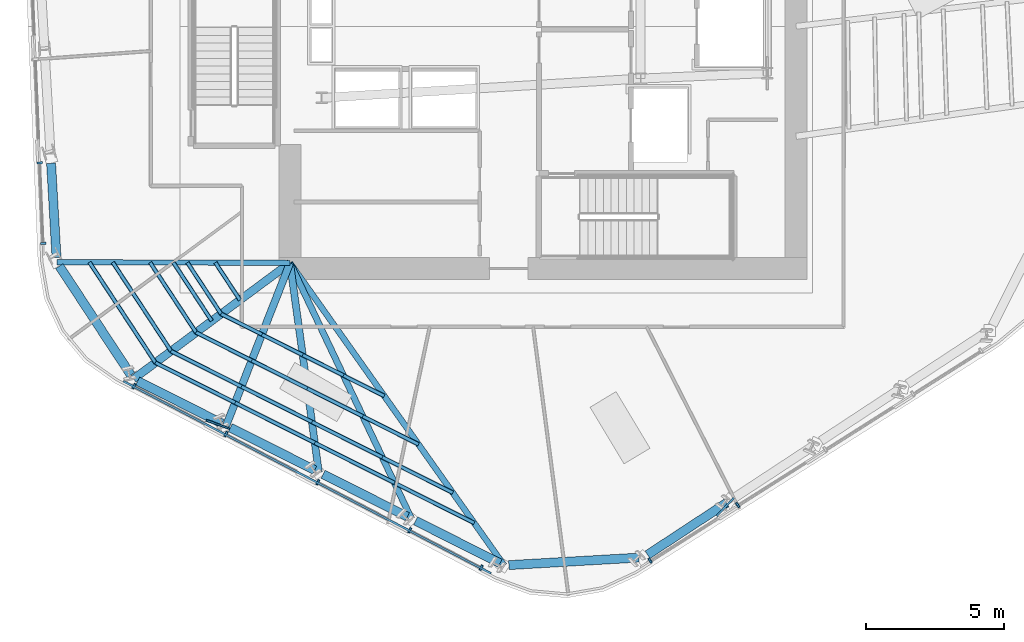
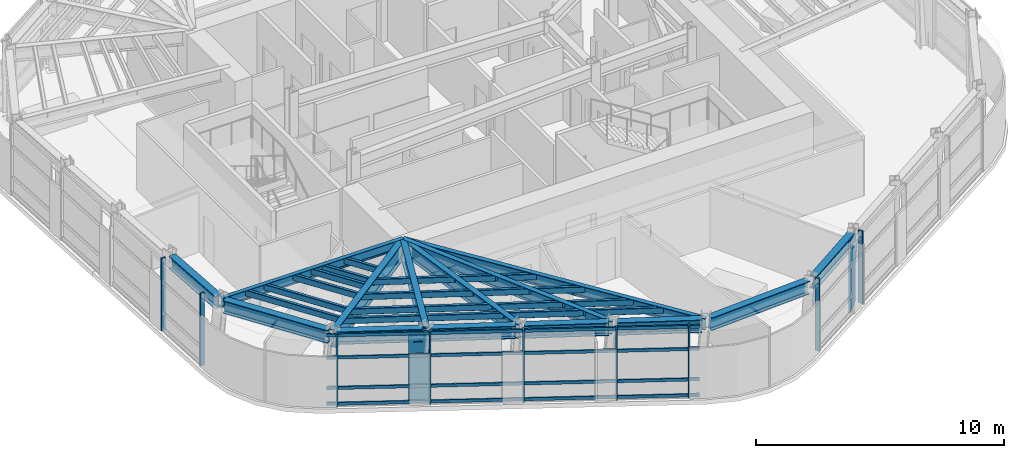
# One storey, part 2 of 15: 37 members, 14 beams, 3 elements without a shape of their own.
"""IFC4 building model written with IfcOpenShell, lengths in metres."""

from ifc_helpers import new_model, si_unit, direction, frame, origin, origin_2d, place, context, subcontext, project, spatial, rectangle, hollow_rectangle, i_section, extrude, material, layer, layer_set, material_profile, profile_set, type_object, element, aggregate, save


model = new_model("IFC4")

# Units and contexts
model_context = context("Model", 3, precision=1e-05, world=origin(), true_north=direction((0.0, 1.0)))
body_context = subcontext(model_context, "Body", "Model", "MODEL_VIEW")
ifc_project = project(units=[si_unit("LENGTHUNIT", "METRE"), si_unit("AREAUNIT", "SQUARE_METRE"), si_unit("VOLUMEUNIT", "CUBIC_METRE"), si_unit("PLANEANGLEUNIT", "RADIAN"), si_unit("MASSUNIT", "GRAM", prefix="KILO")], contexts=[model_context])

# Site, building, storey
site_placement = place(None, origin())
site = spatial("IfcSite", under=ifc_project, at=site_placement, CompositionType="ELEMENT")
building_placement = place(site_placement, origin())
building = spatial("IfcBuilding", under=site, at=building_placement, Name="Valkerne Bourse Tower", CompositionType="ELEMENT")
storey_placement = place(building_placement, frame((0.0, 0.0, 162.800048828125)))
storey = spatial("IfcBuildingStorey", under=building, at=storey_placement, Name="L41", CompositionType="ELEMENT", Elevation=162.800048828125)

# Beams
ifc_material_1 = material(Name="Steel ASTM A992", Category="steel")
ifc_material_profile_1 = material_profile(ifc_material_1, i_section(OverallWidth=0.1904296875, OverallDepth=0.457275390625, WebThickness=0.009033203125, FlangeThickness=0.014404296875, FilletRadius=0.01513671875, at=origin_2d()), Name="W18X50")
ifc_profile_set_1 = profile_set([ifc_material_profile_1], Name="Steel ASTM A992")
beam_type_1 = type_object("IfcBeamType", Name="BM-W18X50", PredefinedType="JOIST", material=ifc_profile_set_1)
beam_1_placement = place(storey_placement, frame((29.12109375, 18.426025390625, 3.351318359375), z_axis=(0.999995254031, -0.003080895254, 0.0), x_axis=(0.003080895254, 0.999995254031, 0.0)))
element("IfcBeam", 1, at=beam_1_placement, inside=storey, type_object=beam_type_1, Name="L41 Radial Composite Floor Beam 14", PredefinedType="JOIST", context=body_context, shape_type="SweptSolid", body=[
    extrude(i_section(OverallWidth=0.1904296875, OverallDepth=0.457275390625, WebThickness=0.009033203125, FlangeThickness=0.014404296875, FilletRadius=0.01513671875, at=origin_2d()), origin(), (0.0, 0.0, 1.0), 8.47900390625),
])
ifc_material_profile_2 = material_profile(ifc_material_1, i_section(OverallWidth=0.2138671875, OverallDepth=0.548583984375, WebThickness=0.0146484375, FlangeThickness=0.023681640625, FilletRadius=0.017822265625, at=origin_2d()), Name="W21X93")
ifc_profile_set_2 = profile_set([ifc_material_profile_2], Name="Steel ASTM A992")
beam_type_2 = type_object("IfcBeamType", Name="BM-W21X93", PredefinedType="BEAM", material=ifc_profile_set_2)
beam_2_placement = place(storey_placement, frame((45.3857421875, 7.402587890625, 3.3056640625), z_axis=(-0.57781372011, 0.816168674266, 0.0), x_axis=(-0.816168674266, -0.57781372011, 0.0)))
element("IfcBeam", 2, at=beam_2_placement, inside=storey, type_object=beam_type_2, Name="L41 Radial Composite Floor Beam 19", PredefinedType="BEAM", context=body_context, shape_type="SweptSolid", body=[
    extrude(i_section(OverallWidth=0.2138671875, OverallDepth=0.548583984375, WebThickness=0.0146484375, FlangeThickness=0.023681640625, FilletRadius=0.017822265625, at=origin_2d()), origin(), (0.0, 0.0, 1.0), 13.474365234375),
])
ifc_material_profile_3 = material_profile(ifc_material_1, i_section(OverallWidth=0.32763671875, OverallDepth=0.62744140625, WebThickness=0.0166015625, FlangeThickness=0.027587890625, FilletRadius=0.020263671875, at=origin_2d()), Name="W24X146")
ifc_profile_set_3 = profile_set([ifc_material_profile_3], Name="Steel ASTM A992")
beam_type_3 = type_object("IfcBeamType", Name="BM-W24X146", PredefinedType="SPANDREL", material=ifc_profile_set_3)
beam_3_placement = place(storey_placement, frame((28.913818359375, 22.021240234375, 3.266357421875), z_axis=(0.05749152331, -0.998345994507, 0.0), x_axis=(0.998345994507, 0.05749152331, 0.0)))
element("IfcBeam", 3, at=beam_3_placement, inside=storey, type_object=beam_type_3, Name="L41 Hexagonal Spandrel Ring Beam 13", PredefinedType="SPANDREL", context=body_context, shape_type="SweptSolid", body=[
    extrude(i_section(OverallWidth=0.32763671875, OverallDepth=0.62744140625, WebThickness=0.0166015625, FlangeThickness=0.027587890625, FilletRadius=0.020263671875, at=origin_2d()), origin(), (0.0, 0.0, 1.0), 3.43115234375),
])
beam_4_placement = place(storey_placement, frame((29.21435546875, 18.283935546875, 3.266357421875), z_axis=(0.549053520412, -0.835787192845, 0.0), x_axis=(0.835787192845, 0.549053520412, 0.0)))
element("IfcBeam", 4, at=beam_4_placement, inside=storey, type_object=beam_type_3, Name="L41 Hexagonal Spandrel Ring Beam 14", PredefinedType="SPANDREL", context=body_context, shape_type="SweptSolid", body=[
    extrude(i_section(OverallWidth=0.32763671875, OverallDepth=0.62744140625, WebThickness=0.0166015625, FlangeThickness=0.027587890625, FilletRadius=0.020263671875, at=origin_2d()), origin(), (0.0, 0.0, 1.0), 4.739990234375),
])
beam_5_placement = place(storey_placement, frame((32.06201171875, 14.103759765625, 3.266357421875), z_axis=(0.89335731116, -0.449346986856, 0.0), x_axis=(0.449346986856, 0.89335731116, 0.0)))
element("IfcBeam", 5, at=beam_5_placement, inside=storey, type_object=beam_type_3, Name="L41 Hexagonal Spandrel Ring Beam 15", PredefinedType="SPANDREL", context=body_context, shape_type="SweptSolid", body=[
    extrude(i_section(OverallWidth=0.32763671875, OverallDepth=0.62744140625, WebThickness=0.0166015625, FlangeThickness=0.027587890625, FilletRadius=0.020263671875, at=origin_2d()), origin(), (0.0, 0.0, 1.0), 3.43115234375),
])
beam_6_placement = place(storey_placement, frame((35.430908203125, 12.4091796875, 3.266357421875), z_axis=(0.89341443513, -0.449233399361, 0.0), x_axis=(0.449233399361, 0.89341443513, 0.0)))
element("IfcBeam", 6, at=beam_6_placement, inside=storey, type_object=beam_type_3, Name="L41 Hexagonal Spandrel Ring Beam 16", PredefinedType="SPANDREL", context=body_context, shape_type="SweptSolid", body=[
    extrude(i_section(OverallWidth=0.32763671875, OverallDepth=0.62744140625, WebThickness=0.0166015625, FlangeThickness=0.027587890625, FilletRadius=0.020263671875, at=origin_2d()), origin(), (0.0, 0.0, 1.0), 3.430908203125),
])
beam_7_placement = place(storey_placement, frame((38.7998046875, 10.715087890625, 3.266357421875), z_axis=(0.89335731116, -0.449346986856, 0.0), x_axis=(0.449346986856, 0.89335731116, 0.0)))
element("IfcBeam", 7, at=beam_7_placement, inside=storey, type_object=beam_type_3, Name="L41 Hexagonal Spandrel Ring Beam 17", PredefinedType="SPANDREL", context=body_context, shape_type="SweptSolid", body=[
    extrude(i_section(OverallWidth=0.32763671875, OverallDepth=0.62744140625, WebThickness=0.0166015625, FlangeThickness=0.027587890625, FilletRadius=0.020263671875, at=origin_2d()), origin(), (0.0, 0.0, 1.0), 3.43115234375),
])
beam_8_placement = place(storey_placement, frame((42.168701171875, 9.0205078125, 3.266357421875), z_axis=(0.893385874037, -0.449290195832, 0.0), x_axis=(0.449290195832, 0.893385874037, 0.0)))
element("IfcBeam", 8, at=beam_8_placement, inside=storey, type_object=beam_type_3, Name="L41 Hexagonal Spandrel Ring Beam 18", PredefinedType="SPANDREL", context=body_context, shape_type="SweptSolid", body=[
    extrude(i_section(OverallWidth=0.32763671875, OverallDepth=0.62744140625, WebThickness=0.0166015625, FlangeThickness=0.027587890625, FilletRadius=0.020263671875, at=origin_2d()), origin(), (0.0, 0.0, 1.0), 3.430908203125),
])
beam_9_placement = place(storey_placement, frame((45.555419921875, 7.412353515625, 3.266357421875), z_axis=(0.998340682004, 0.057583701309, 0.0), x_axis=(-0.057583701309, 0.998340682004, 0.0)))
element("IfcBeam", 9, at=beam_9_placement, inside=storey, type_object=beam_type_3, Name="L41 Hexagonal Spandrel Ring Beam 19", PredefinedType="SPANDREL", context=body_context, shape_type="SweptSolid", body=[
    extrude(i_section(OverallWidth=0.32763671875, OverallDepth=0.62744140625, WebThickness=0.0166015625, FlangeThickness=0.027587890625, FilletRadius=0.020263671875, at=origin_2d()), origin(), (0.0, 0.0, 1.0), 4.739990234375),
])
beam_10_placement = place(storey_placement, frame((50.599609375, 7.788330078125, 3.266357421875), z_axis=(0.835775456487, 0.549071385462, 0.0), x_axis=(-0.549071385462, 0.835775456487, 0.0)))
element("IfcBeam", 10, at=beam_10_placement, inside=storey, type_object=beam_type_3, Name="L41 Hexagonal Spandrel Ring Beam 20", PredefinedType="SPANDREL", context=body_context, shape_type="SweptSolid", body=[
    extrude(i_section(OverallWidth=0.32763671875, OverallDepth=0.62744140625, WebThickness=0.0166015625, FlangeThickness=0.027587890625, FilletRadius=0.020263671875, at=origin_2d()), origin(), (0.0, 0.0, 1.0), 3.430908203125),
])
ifc_material_profile_4 = material_profile(ifc_material_1, i_section(OverallWidth=0.228271484375, OverallDepth=0.607177734375, WebThickness=0.01123046875, FlangeThickness=0.017333984375, FilletRadius=0.017822265625, at=origin_2d()), Name="W24X76")
ifc_profile_set_4 = profile_set([ifc_material_profile_4], Name="Steel ASTM A992")
beam_type_4 = type_object("IfcBeamType", Name="BM-W24X76", PredefinedType="JOIST", material=ifc_profile_set_4)
beam_11_placement = place(storey_placement, frame((42.016845703125, 9.096923828125, 3.2763671875), z_axis=(-0.428885138888, 0.903359030309, 0.0), x_axis=(-0.903359030309, -0.428885138888, 0.0)))
element("IfcBeam", 11, at=beam_11_placement, inside=storey, type_object=beam_type_4, Name="L41 Radial Composite Floor Beam 18", PredefinedType="JOIST", context=body_context, shape_type="SweptSolid", body=[
    extrude(i_section(OverallWidth=0.228271484375, OverallDepth=0.607177734375, WebThickness=0.01123046875, FlangeThickness=0.017333984375, FilletRadius=0.017822265625, at=origin_2d()), origin(), (0.0, 0.0, 1.0), 10.298095703125),
])
ifc_material_profile_5 = material_profile(ifc_material_1, i_section(OverallWidth=0.255859375, OverallDepth=0.693359375, WebThickness=0.014404296875, FlangeThickness=0.023681640625, FilletRadius=0.02294921875, at=origin_2d()), Name="W27X114")
ifc_profile_set_5 = profile_set([ifc_material_profile_5], Name="Steel ASTM A992")
beam_type_5 = type_object("IfcBeamType", Name="BM-W27X114", PredefinedType="BEAM", material=ifc_profile_set_5)
beam_12_placement = place(storey_placement, frame((38.64794921875, 10.79150390625, 3.233154296875), z_axis=(-0.136435166127, 0.990649002141, 0.0), x_axis=(-0.990649002141, -0.136435166127, 0.0)))
element("IfcBeam", 12, at=beam_12_placement, inside=storey, type_object=beam_type_5, Name="L41 Radial Composite Floor Beam 17", PredefinedType="BEAM", context=body_context, shape_type="SweptSolid", body=[
    extrude(i_section(OverallWidth=0.255859375, OverallDepth=0.693359375, WebThickness=0.014404296875, FlangeThickness=0.023681640625, FilletRadius=0.02294921875, at=origin_2d()), origin(), (0.0, 0.0, 1.0), 7.68017578125),
])
ifc_material_profile_6 = material_profile(ifc_material_1, i_section(OverallWidth=0.26806640625, OverallDepth=0.76953125, WebThickness=0.015625, FlangeThickness=0.025390625, FilletRadius=0.025390625, at=origin_2d()), Name="W30X132")
ifc_profile_set_6 = profile_set([ifc_material_profile_6], Name="Steel ASTM A992")
beam_type_6 = type_object("IfcBeamType", Name="BM-W30X132", PredefinedType="BEAM", material=ifc_profile_set_6)
beam_13_placement = place(storey_placement, frame((35.279052734375, 12.485595703125, 3.195068359375), z_axis=(0.365320650034, 0.930881744723, 0.0), x_axis=(-0.930881744723, 0.365320650034, 0.0)))
element("IfcBeam", 13, at=beam_13_placement, inside=storey, type_object=beam_type_6, Name="L41 Radial Composite Floor Beam 16", PredefinedType="BEAM", context=body_context, shape_type="SweptSolid", body=[
    extrude(i_section(OverallWidth=0.26806640625, OverallDepth=0.76953125, WebThickness=0.015625, FlangeThickness=0.025390625, FilletRadius=0.025390625, at=origin_2d()), origin(), (0.0, 0.0, 1.0), 6.353515625),
])
ifc_material_profile_7 = material_profile(ifc_material_1, i_section(OverallWidth=0.2919921875, OverallDepth=0.8583984375, WebThickness=0.01708984375, FlangeThickness=0.031005859375, FilletRadius=0.025390625, at=origin_2d()), Name="W33X169")
ifc_profile_set_7 = profile_set([ifc_material_profile_7], Name="Steel ASTM A992")
beam_type_7 = type_object("IfcBeamType", Name="BM-W33X169", PredefinedType="BEAM", material=ifc_profile_set_7)
beam_14_placement = place(storey_placement, frame((31.91015625, 14.18017578125, 3.150634765625), z_axis=(0.80322249815, 0.595679123746, 0.0), x_axis=(-0.595679123746, 0.80322249815, 0.0)))
element("IfcBeam", 14, at=beam_14_placement, inside=storey, type_object=beam_type_7, Name="L41 Radial Composite Floor Beam 15", PredefinedType="BEAM", context=body_context, shape_type="SweptSolid", body=[
    extrude(i_section(OverallWidth=0.2919921875, OverallDepth=0.8583984375, WebThickness=0.01708984375, FlangeThickness=0.031005859375, FilletRadius=0.025390625, at=origin_2d()), origin(), (0.0, 0.0, 1.0), 7.083984375),
])

# Curtain wall, members
ifc_material_2 = material(Name="Aluminium AA 6063-T6", Category="aluminium")
ifc_layer = layer(ifc_material_2, 0.235107421875)
ifc_layer_set = layer_set([ifc_layer], Name="Aluminium AA 6063-T6")
curtain_wall_type = type_object("IfcCurtainWallType", Name="CW-03", PredefinedType="NOTDEFINED", material=ifc_layer_set)
curtain_wall_1_placement = place(storey_placement, origin())
curtain_wall_1 = element("IfcCurtainWall", 15, at=curtain_wall_1_placement, inside=storey, type_object=curtain_wall_type, Name="L41 Hexagonal Stick Curtain Wall Face 3", PredefinedType="NOTDEFINED")
ifc_material_profile_8 = material_profile(ifc_material_2, rectangle(XDim=0.074951171875, YDim=0.199951171875, at=origin_2d()), Name="CWM-75X200")
ifc_profile_set_8 = profile_set([ifc_material_profile_8], Name="Aluminium AA 6063-T6")
member_type_1 = type_object("IfcMemberType", Name="CW-MUL-220X75", PredefinedType="MULLION", material=ifc_profile_set_8)
member_1_placement = place(storey_placement, frame((28.508544921875, 22.03857421875, 0.0), z_axis=(0.0, 0.0, 1.0), x_axis=(0.04187321133, -0.999122932463, 0.0)))
member_1 = element("IfcMember", 16, at=member_1_placement, type_object=member_type_1, Name="CW-L41-F3 Jamb Mullion 03A", PredefinedType="MULLION", context=body_context, shape_type="SweptSolid", body=[
    extrude(rectangle(XDim=0.074951171875, YDim=0.199951171875, at=origin_2d()), origin(), (0.0, 0.0, 1.0), 3.579833984375),
])
member_2_placement = place(storey_placement, frame((28.631103515625, 19.1103515625, 0.0), z_axis=(0.0, 0.0, 1.0), x_axis=(0.04187321133, -0.999122932463, 0.0)))
member_2 = element("IfcMember", 17, at=member_2_placement, type_object=member_type_1, Name="CW-L41-F3 Jamb Mullion 03B", PredefinedType="MULLION", context=body_context, shape_type="SweptSolid", body=[
    extrude(rectangle(XDim=0.074951171875, YDim=0.199951171875, at=origin_2d()), origin(), (0.0, 0.0, 1.0), 3.579833984375),
])
aggregate(curtain_wall_1, [member_1, member_2])

curtain_wall_2_placement = place(storey_placement, origin())
curtain_wall_2 = element("IfcCurtainWall", 18, at=curtain_wall_2_placement, inside=storey, type_object=curtain_wall_type, Name="L41 Hexagonal Stick Curtain Wall Face 4", PredefinedType="NOTDEFINED")
member_3_placement = place(storey_placement, frame((31.92529296875, 13.919677734375, 0.0), z_axis=(0.0, 0.0, 1.0), x_axis=(0.886198224571, -0.463306277495, 0.0)))
member_3 = element("IfcMember", 19, at=member_3_placement, type_object=member_type_1, Name="CW-L41-F4 Jamb Mullion 00A", PredefinedType="MULLION", context=body_context, shape_type="SweptSolid", body=[
    extrude(rectangle(XDim=0.074951171875, YDim=0.199951171875, at=origin_2d()), origin(), (0.0, 0.0, 1.0), 3.579833984375),
])
member_4_placement = place(storey_placement, frame((35.26708984375, 12.172607421875, 0.0), z_axis=(0.0, 0.0, 1.0), x_axis=(0.886203916653, -0.46329538969, 0.0)))
member_4 = element("IfcMember", 20, at=member_4_placement, type_object=member_type_1, Name="CW-L41-F4 Jamb Mullion 01A", PredefinedType="MULLION", context=body_context, shape_type="SweptSolid", body=[
    extrude(rectangle(XDim=0.074951171875, YDim=0.199951171875, at=origin_2d()), origin(), (0.0, 0.0, 1.0), 3.579833984375),
])
member_5_placement = place(storey_placement, frame((38.60888671875, 10.425537109375, 0.0), z_axis=(0.0, 0.0, 1.0), x_axis=(0.886203916653, -0.46329538969, 0.0)))
member_5 = element("IfcMember", 21, at=member_5_placement, type_object=member_type_1, Name="CW-L41-F4 Jamb Mullion 02A", PredefinedType="MULLION", context=body_context, shape_type="SweptSolid", body=[
    extrude(rectangle(XDim=0.074951171875, YDim=0.199951171875, at=origin_2d()), origin(), (0.0, 0.0, 1.0), 3.579833984375),
])
member_6_placement = place(storey_placement, frame((41.950927734375, 8.678466796875, 0.0), z_axis=(0.0, 0.0, 1.0), x_axis=(0.886203916653, -0.46329538969, 0.0)))
member_6 = element("IfcMember", 22, at=member_6_placement, type_object=member_type_1, Name="CW-L41-F4 Jamb Mullion 03A", PredefinedType="MULLION", context=body_context, shape_type="SweptSolid", body=[
    extrude(rectangle(XDim=0.074951171875, YDim=0.199951171875, at=origin_2d()), origin(), (0.0, 0.0, 1.0), 3.579833984375),
])
member_7_placement = place(storey_placement, frame((44.54833984375, 7.320556640625, 0.0), z_axis=(0.0, 0.0, 1.0), x_axis=(0.886203916653, -0.46329538969, 0.0)))
member_7 = element("IfcMember", 23, at=member_7_placement, type_object=member_type_1, Name="CW-L41-F4 Jamb Mullion 03B", PredefinedType="MULLION", context=body_context, shape_type="SweptSolid", body=[
    extrude(rectangle(XDim=0.074951171875, YDim=0.199951171875, at=origin_2d()), origin(), (0.0, 0.0, 1.0), 3.579833984375),
])

curtain_wall_3_placement = place(storey_placement, origin())
curtain_wall_3 = element("IfcCurtainWall", 24, at=curtain_wall_3_placement, inside=storey, type_object=curtain_wall_type, Name="L41 Hexagonal Stick Curtain Wall Face 5", PredefinedType="NOTDEFINED")
member_8_placement = place(storey_placement, frame((50.6904296875, 7.577880859375, 0.0), z_axis=(0.0, 0.0, 1.0), x_axis=(0.844331265878, 0.535821531353, 0.0)))
member_8 = element("IfcMember", 25, at=member_8_placement, type_object=member_type_1, Name="CW-L41-F5 Jamb Mullion 00A", PredefinedType="MULLION", context=body_context, shape_type="SweptSolid", body=[
    extrude(rectangle(XDim=0.074951171875, YDim=0.199951171875, at=origin_2d()), origin(), (0.0, 0.0, 1.0), 3.579833984375),
])
member_9_placement = place(storey_placement, frame((53.87451171875, 9.5986328125, 0.0), z_axis=(0.0, 0.0, 1.0), x_axis=(0.844323652199, 0.535833528568, 0.0)))
member_9 = element("IfcMember", 26, at=member_9_placement, type_object=member_type_1, Name="CW-L41-F5 Jamb Mullion 01A", PredefinedType="MULLION", context=body_context, shape_type="SweptSolid", body=[
    extrude(rectangle(XDim=0.074951171875, YDim=0.199951171875, at=origin_2d()), origin(), (0.0, 0.0, 1.0), 3.579833984375),
])
aggregate(curtain_wall_3, [member_8, member_9])

# Member
ifc_material_profile_9 = material_profile(ifc_material_2, rectangle(XDim=0.074951171875, YDim=0.14990234375, at=origin_2d()), Name="CWT-75X150")
ifc_profile_set_9 = profile_set([ifc_material_profile_9], Name="Aluminium AA 6063-T6")
member_type_2 = type_object("IfcMemberType", Name="CW-TRN-180X65", PredefinedType="USERDEFINED", material=ifc_profile_set_9)
member_10_placement = place(storey_placement, frame((31.543701171875, 14.0966796875, 0.119873046875), z_axis=(0.886201582005, -0.463299855442, 0.0), x_axis=(0.463299855442, 0.886201582005, 0.0)))
member_10 = element("IfcMember", 27, at=member_10_placement, type_object=member_type_2, Name="CW-L41-F4 Continuous Face Transom 1", ObjectType="TRANSOM", PredefinedType="USERDEFINED", context=body_context, shape_type="SweptSolid", body=[
    extrude(rectangle(XDim=0.074951171875, YDim=0.14990234375, at=origin_2d()), origin(), (0.0, 0.0, 1.0), 15.084228515625),
])

member_11_placement = place(storey_placement, frame((31.543701171875, 14.0966796875, 0.89990234375), z_axis=(0.886201582005, -0.463299855442, 0.0), x_axis=(0.463299855442, 0.886201582005, 0.0)))
member_11 = element("IfcMember", 28, at=member_11_placement, type_object=member_type_2, Name="CW-L41-F4 Continuous Face Transom 2", ObjectType="TRANSOM", PredefinedType="USERDEFINED", context=body_context, shape_type="SweptSolid", body=[
    extrude(rectangle(XDim=0.074951171875, YDim=0.14990234375, at=origin_2d()), origin(), (0.0, 0.0, 1.0), 15.084228515625),
])

member_12_placement = place(storey_placement, frame((31.543701171875, 14.0966796875, 2.39990234375), z_axis=(0.886201582005, -0.463299855442, 0.0), x_axis=(0.463299855442, 0.886201582005, 0.0)))
member_12 = element("IfcMember", 29, at=member_12_placement, type_object=member_type_2, Name="CW-L41-F4 Continuous Face Transom 3", ObjectType="TRANSOM", PredefinedType="USERDEFINED", context=body_context, shape_type="SweptSolid", body=[
    extrude(rectangle(XDim=0.074951171875, YDim=0.14990234375, at=origin_2d()), origin(), (0.0, 0.0, 1.0), 15.084228515625),
])

member_13_placement = place(storey_placement, frame((31.543701171875, 14.0966796875, 3.5), z_axis=(0.886201582005, -0.463299855442, 0.0), x_axis=(0.463299855442, 0.886201582005, 0.0)))
member_13 = element("IfcMember", 30, at=member_13_placement, type_object=member_type_2, Name="CW-L41-F4 Continuous Face Transom 4", ObjectType="TRANSOM", PredefinedType="USERDEFINED", context=body_context, shape_type="SweptSolid", body=[
    extrude(rectangle(XDim=0.074951171875, YDim=0.14990234375, at=origin_2d()), origin(), (0.0, 0.0, 1.0), 15.084228515625),
])

aggregate(curtain_wall_2, [member_10, member_11, member_12, member_13, member_3, member_4, member_5, member_6, member_7])

# Members
ifc_material_3 = material(Name="Bronze Anodised Aluminium AA 6063-T6", Category="aluminium")
ifc_material_profile_10 = material_profile(ifc_material_3, rectangle(XDim=0.070068359375, YDim=0.89990234375, at=origin_2d()), Name="FIN-70X900")
ifc_profile_set_10 = profile_set([ifc_material_profile_10], Name="Bronze Anodised Aluminium AA 6063-T6")
member_type_3 = type_object("IfcMemberType", Name="FIN-SOLAR-900", PredefinedType="USERDEFINED", material=ifc_profile_set_10)
for number, where, z_axis, x_axis, name in (
    (31, (34.978271484375, 12.526611328125, 0.00390625), (0.0, 0.0, 1.0), (-0.33859863428, -0.940930903342, 0.0), "L41 Bronze Anodised Solar Fin F4-01"),
    (32, (53.42333984375, 9.525390625, 0.00390625), (0.0, 0.0, 1.0), (0.723786944564, -0.690023520526, 0.0), "L41 Bronze Anodised Solar Fin F5-01"),
):
    element("IfcMember", number, at=place(storey_placement, frame(where, z_axis=z_axis, x_axis=x_axis)), inside=storey, type_object=member_type_3, Name=name, ObjectType="SOLAR_FIN", PredefinedType="USERDEFINED", context=body_context, shape_type="SweptSolid", body=[
        extrude(rectangle(XDim=0.070068359375, YDim=0.89990234375, at=origin_2d()), origin(), (0.0, 0.0, 1.0), 3.572021484375),
    ])
ifc_material_4 = material(Name="Steel ASTM A500 Grade C", Category="steel")
ifc_material_profile_11 = material_profile(ifc_material_4, hollow_rectangle(XDim=0.14990234375, YDim=0.300048828125, WallThickness=0.012451171875, OuterFilletRadius=0.02490234375, at=origin_2d()), Name="HSS300X150X12.5")
ifc_profile_set_11 = profile_set([ifc_material_profile_11], Name="Steel ASTM A500 Grade C")
member_type_4 = type_object("IfcMemberType", Name="MBR-HSS300X150X12.5", PredefinedType="PURLIN", material=ifc_profile_set_11)
member_14_placement = place(storey_placement, frame((34.88671875, 18.408447265625, 3.419921875), z_axis=(0.549004080363, -0.835819669393, 0.0), x_axis=(0.835819669393, 0.549004080363, 0.0)))
element("IfcMember", 33, at=member_14_placement, inside=storey, type_object=member_type_4, Name="L41 Secondary Composite Floor Purlin I-14", PredefinedType="PURLIN", context=body_context, shape_type="SweptSolid", body=[
    extrude(hollow_rectangle(XDim=0.14990234375, YDim=0.300048828125, WallThickness=0.012451171875, OuterFilletRadius=0.02490234375, at=origin_2d()), origin(), (0.0, 0.0, 1.0), 1.625732421875),
])
member_15_placement = place(storey_placement, frame((33.869140625, 18.41162109375, 3.419921875), z_axis=(0.549016608966, -0.835811439907, 0.0), x_axis=(0.835811439907, 0.549016608966, 0.0)))
element("IfcMember", 34, at=member_15_placement, inside=storey, type_object=member_type_4, Name="L41 Secondary Composite Floor Purlin K-14", PredefinedType="PURLIN", context=body_context, shape_type="SweptSolid", body=[
    extrude(hollow_rectangle(XDim=0.14990234375, YDim=0.300048828125, WallThickness=0.012451171875, OuterFilletRadius=0.02490234375, at=origin_2d()), origin(), (0.0, 0.0, 1.0), 2.2353515625),
])
member_16_placement = place(storey_placement, frame((35.096435546875, 16.543212890625, 3.419921875), z_axis=(0.893365355234, -0.449330993887, 0.0), x_axis=(0.449330993887, 0.893365355234, 0.0)))
element("IfcMember", 35, at=member_16_placement, inside=storey, type_object=member_type_4, Name="L41 Secondary Composite Floor Purlin K-15", PredefinedType="PURLIN", context=body_context, shape_type="SweptSolid", body=[
    extrude(hollow_rectangle(XDim=0.14990234375, YDim=0.300048828125, WallThickness=0.012451171875, OuterFilletRadius=0.02490234375, at=origin_2d()), origin(), (0.0, 0.0, 1.0), 1.659423828125),
])
member_17_placement = place(storey_placement, frame((36.578857421875, 15.797607421875, 3.419921875), z_axis=(0.893394714006, -0.449272617668, 0.0), x_axis=(0.449272617668, 0.893394714006, 0.0)))
element("IfcMember", 36, at=member_17_placement, inside=storey, type_object=member_type_4, Name="L41 Secondary Composite Floor Purlin K-16", PredefinedType="PURLIN", context=body_context, shape_type="SweptSolid", body=[
    extrude(hollow_rectangle(XDim=0.14990234375, YDim=0.300048828125, WallThickness=0.012451171875, OuterFilletRadius=0.02490234375, at=origin_2d()), origin(), (0.0, 0.0, 1.0), 1.658935546875),
])
member_18_placement = place(storey_placement, frame((38.06103515625, 15.05224609375, 3.419921875), z_axis=(0.893365355234, -0.449330993887, 0.0), x_axis=(0.449330993887, 0.893365355234, 0.0)))
element("IfcMember", 37, at=member_18_placement, inside=storey, type_object=member_type_4, Name="L41 Secondary Composite Floor Purlin K-17", PredefinedType="PURLIN", context=body_context, shape_type="SweptSolid", body=[
    extrude(hollow_rectangle(XDim=0.14990234375, YDim=0.300048828125, WallThickness=0.012451171875, OuterFilletRadius=0.02490234375, at=origin_2d()), origin(), (0.0, 0.0, 1.0), 1.659423828125),
])
member_19_placement = place(storey_placement, frame((39.54345703125, 14.306640625, 3.419921875), z_axis=(0.893335644339, -0.449390060585, 0.0), x_axis=(0.449390060585, 0.893335644339, 0.0)))
element("IfcMember", 38, at=member_19_placement, inside=storey, type_object=member_type_4, Name="L41 Secondary Composite Floor Purlin K-18", PredefinedType="PURLIN", context=body_context, shape_type="SweptSolid", body=[
    extrude(hollow_rectangle(XDim=0.14990234375, YDim=0.300048828125, WallThickness=0.012451171875, OuterFilletRadius=0.02490234375, at=origin_2d()), origin(), (0.0, 0.0, 1.0), 1.6591796875),
])
member_20_placement = place(storey_placement, frame((33.360595703125, 18.4130859375, 3.419921875), z_axis=(0.548941948545, -0.83586047707, 0.0), x_axis=(0.83586047707, 0.548941948545, 0.0)))
element("IfcMember", 39, at=member_20_placement, inside=storey, type_object=member_type_4, Name="L41 Secondary Composite Floor Purlin M-14", PredefinedType="PURLIN", context=body_context, shape_type="SweptSolid", body=[
    extrude(hollow_rectangle(XDim=0.14990234375, YDim=0.300048828125, WallThickness=0.012451171875, OuterFilletRadius=0.02490234375, at=origin_2d()), origin(), (0.0, 0.0, 1.0), 2.5400390625),
])
member_21_placement = place(storey_placement, frame((31.156005859375, 18.419921875, 3.419921875), z_axis=(0.548996175539, -0.835824861585, 0.0), x_axis=(0.835824861585, 0.548996175539, 0.0)))
element("IfcMember", 40, at=member_21_placement, inside=storey, type_object=member_type_4, Name="L41 Secondary Composite Floor Purlin O-14", PredefinedType="PURLIN", context=body_context, shape_type="SweptSolid", body=[
    extrude(hollow_rectangle(XDim=0.14990234375, YDim=0.300048828125, WallThickness=0.012451171875, OuterFilletRadius=0.02490234375, at=origin_2d()), origin(), (0.0, 0.0, 1.0), 3.86083984375),
])
for number, where, z_axis, x_axis, name in (
    (41, (33.275634765625, 15.19287109375, 3.419921875), (0.893351264437, -0.449359008287, 0.0), (0.449359008287, 0.893351264437, 0.0), "L41 Secondary Composite Floor Purlin O-15"),
    (42, (35.8359375, 13.905029296875, 3.419921875), (0.893402654712, -0.449256826941, 0.0), (0.449256826941, 0.893402654712, 0.0), "L41 Secondary Composite Floor Purlin O-16"),
    (43, (38.396484375, 12.617431640625, 3.419921875), (0.893351264437, -0.449359008287, 0.0), (0.449359008287, 0.893351264437, 0.0), "L41 Secondary Composite Floor Purlin O-17"),
):
    element("IfcMember", number, at=place(storey_placement, frame(where, z_axis=z_axis, x_axis=x_axis)), inside=storey, type_object=member_type_4, Name=name, PredefinedType="PURLIN", context=body_context, shape_type="SweptSolid", body=[
        extrude(hollow_rectangle(XDim=0.14990234375, YDim=0.300048828125, WallThickness=0.012451171875, OuterFilletRadius=0.02490234375, at=origin_2d()), origin(), (0.0, 0.0, 1.0), 2.865966796875),
    ])
member_22_placement = place(storey_placement, frame((40.956787109375, 11.32958984375, 3.419921875), z_axis=(0.893385460056, -0.449291019008, 0.0), x_axis=(0.449291019008, 0.893385460056, 0.0)))
element("IfcMember", 44, at=member_22_placement, inside=storey, type_object=member_type_4, Name="L41 Secondary Composite Floor Purlin O-18", PredefinedType="PURLIN", context=body_context, shape_type="SweptSolid", body=[
    extrude(hollow_rectangle(XDim=0.14990234375, YDim=0.300048828125, WallThickness=0.012451171875, OuterFilletRadius=0.02490234375, at=origin_2d()), origin(), (0.0, 0.0, 1.0), 2.86572265625),
])
member_23_placement = place(storey_placement, frame((32.5126953125, 18.415771484375, 3.419921875), z_axis=(0.548994067309, -0.835826246333, 0.0), x_axis=(0.835826246333, 0.548994067309, 0.0)))
element("IfcMember", 45, at=member_23_placement, inside=storey, type_object=member_type_4, Name="L41 Secondary Composite Floor Purlin Z-14", PredefinedType="PURLIN", context=body_context, shape_type="SweptSolid", body=[
    extrude(hollow_rectangle(XDim=0.14990234375, YDim=0.300048828125, WallThickness=0.012451171875, OuterFilletRadius=0.02490234375, at=origin_2d()), origin(), (0.0, 0.0, 1.0), 3.048095703125),
])
member_24_placement = place(storey_placement, frame((34.18603515625, 15.8681640625, 3.419921875), z_axis=(0.893345668172, -0.449370133809, 0.0), x_axis=(0.449370133809, 0.893345668172, 0.0)))
element("IfcMember", 46, at=member_24_placement, inside=storey, type_object=member_type_4, Name="L41 Secondary Composite Floor Purlin Z-15", PredefinedType="PURLIN", context=body_context, shape_type="SweptSolid", body=[
    extrude(hollow_rectangle(XDim=0.14990234375, YDim=0.300048828125, WallThickness=0.012451171875, OuterFilletRadius=0.02490234375, at=origin_2d()), origin(), (0.0, 0.0, 1.0), 2.262939453125),
])
for number, where, z_axis, x_axis, name in (
    (47, (36.20751953125, 14.851318359375, 3.419921875), (0.893367195725, -0.449327334581, 0.0), (0.449327334581, 0.893367195725, 0.0), "L41 Secondary Composite Floor Purlin Z-16"),
    (48, (38.228759765625, 13.834716796875, 3.419921875), (0.893367195725, -0.449327334581, 0.0), (0.449327334581, 0.893367195725, 0.0), "L41 Secondary Composite Floor Purlin Z-17"),
):
    element("IfcMember", number, at=place(storey_placement, frame(where, z_axis=z_axis, x_axis=x_axis)), inside=storey, type_object=member_type_4, Name=name, PredefinedType="PURLIN", context=body_context, shape_type="SweptSolid", body=[
        extrude(hollow_rectangle(XDim=0.14990234375, YDim=0.300048828125, WallThickness=0.012451171875, OuterFilletRadius=0.02490234375, at=origin_2d()), origin(), (0.0, 0.0, 1.0), 2.262451171875),
    ])
member_25_placement = place(storey_placement, frame((40.25, 12.818115234375, 3.419921875), z_axis=(0.89338897859, -0.449284022566, 0.0), x_axis=(0.449284022566, 0.89338897859, 0.0)))
element("IfcMember", 49, at=member_25_placement, inside=storey, type_object=member_type_4, Name="L41 Secondary Composite Floor Purlin Z-18", PredefinedType="PURLIN", context=body_context, shape_type="SweptSolid", body=[
    extrude(hollow_rectangle(XDim=0.14990234375, YDim=0.300048828125, WallThickness=0.012451171875, OuterFilletRadius=0.02490234375, at=origin_2d()), origin(), (0.0, 0.0, 1.0), 2.2626953125),
])
member_26_placement = place(storey_placement, frame((30.30810546875, 18.42236328125, 3.419921875), z_axis=(0.549051872535, -0.835788275382, 0.0), x_axis=(0.835788275382, 0.549051872535, 0.0)))
element("IfcMember", 50, at=member_26_placement, inside=storey, type_object=member_type_4, Name="L41 Secondary Composite Floor Purlin T-14", PredefinedType="PURLIN", context=body_context, shape_type="SweptSolid", body=[
    extrude(hollow_rectangle(XDim=0.14990234375, YDim=0.300048828125, WallThickness=0.012451171875, OuterFilletRadius=0.02490234375, at=origin_2d()), origin(), (0.0, 0.0, 1.0), 4.36865234375),
])
member_27_placement = place(storey_placement, frame((32.706787109375, 14.77099609375, 3.419921875), z_axis=(0.893355650333, -0.44935028877, 0.0), x_axis=(0.44935028877, 0.893355650333, 0.0)))
element("IfcMember", 51, at=member_27_placement, inside=storey, type_object=member_type_4, Name="L41 Secondary Composite Floor Purlin T-15", PredefinedType="PURLIN", context=body_context, shape_type="SweptSolid", body=[
    extrude(hollow_rectangle(XDim=0.14990234375, YDim=0.300048828125, WallThickness=0.012451171875, OuterFilletRadius=0.02490234375, at=origin_2d()), origin(), (0.0, 0.0, 1.0), 3.2431640625),
])
member_28_placement = place(storey_placement, frame((35.60400390625, 13.313720703125, 3.419921875), z_axis=(0.893385869224, -0.449290205404, 0.0), x_axis=(0.449290205404, 0.893385869224, 0.0)))
element("IfcMember", 52, at=member_28_placement, inside=storey, type_object=member_type_4, Name="L41 Secondary Composite Floor Purlin T-16", PredefinedType="PURLIN", context=body_context, shape_type="SweptSolid", body=[
    extrude(hollow_rectangle(XDim=0.14990234375, YDim=0.300048828125, WallThickness=0.012451171875, OuterFilletRadius=0.02490234375, at=origin_2d()), origin(), (0.0, 0.0, 1.0), 3.242919921875),
])
for number, where, z_axis, x_axis, name in (
    (53, (38.501220703125, 11.856689453125, 3.419921875), (0.893355650333, -0.44935028877, 0.0), (0.44935028877, 0.893355650333, 0.0), "L41 Secondary Composite Floor Purlin T-17"),
    (54, (41.3984375, 10.3994140625, 3.419921875), (0.893355650333, -0.44935028877, 0.0), (0.44935028877, 0.893355650333, 0.0), "L41 Secondary Composite Floor Purlin T-18"),
):
    element("IfcMember", number, at=place(storey_placement, frame(where, z_axis=z_axis, x_axis=x_axis)), inside=storey, type_object=member_type_4, Name=name, PredefinedType="PURLIN", context=body_context, shape_type="SweptSolid", body=[
        extrude(hollow_rectangle(XDim=0.14990234375, YDim=0.300048828125, WallThickness=0.012451171875, OuterFilletRadius=0.02490234375, at=origin_2d()), origin(), (0.0, 0.0, 1.0), 3.2431640625),
    ])

save(model, "model.ifc")
